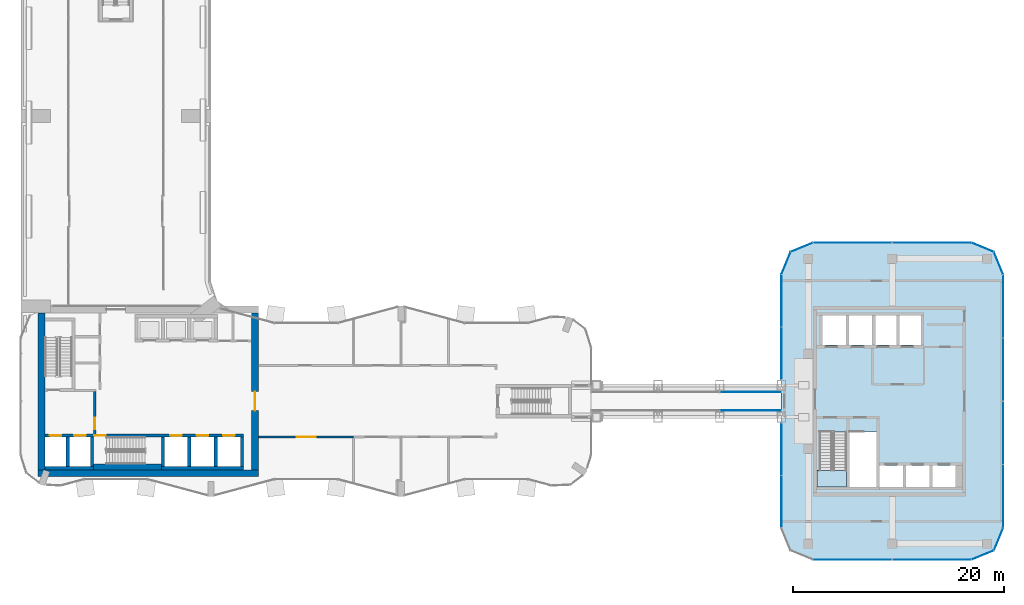
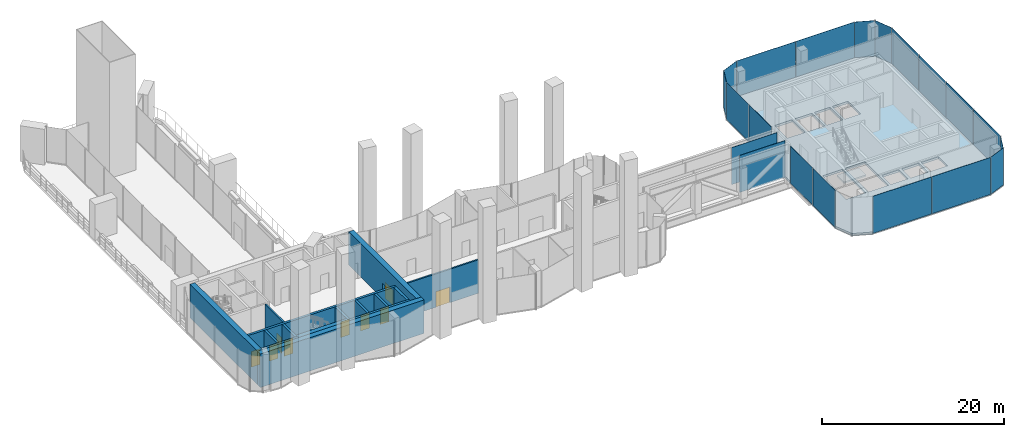
# One storey, part 15 of 23: 20 plates, 15 walls, 9 doors, 2 slabs, 9 openings, 14 elements without a shape of their own.
"""IFC4 building model written with IfcOpenShell, lengths in metres."""

from ifc_helpers import new_model, si_unit, direction, frame, frame_2d, origin, origin_2d, place, context, subcontext, project, spatial, polyline, rectangle, outline, extrude, material, layer, layer_set, type_object, element, fill, aggregate, save


model = new_model("IFC4")

# Units and contexts
model_context = context("Model", 3, precision=1e-05, world=origin(), true_north=direction((0.0, 1.0)))
body_context = subcontext(model_context, "Body", "Model", "MODEL_VIEW")
ifc_project = project(units=[si_unit("LENGTHUNIT", "METRE"), si_unit("AREAUNIT", "SQUARE_METRE"), si_unit("VOLUMEUNIT", "CUBIC_METRE"), si_unit("PLANEANGLEUNIT", "RADIAN"), si_unit("MASSUNIT", "GRAM", prefix="KILO")], contexts=[model_context])

# Site, building, storey
site_placement = place(None, origin())
site = spatial("IfcSite", under=ifc_project, at=site_placement, CompositionType="ELEMENT")
building_placement = place(site_placement, origin())
building = spatial("IfcBuilding", under=site, at=building_placement, Name="Plateau Cross Towers", CompositionType="ELEMENT")
storey_placement = place(building_placement, frame((0.0, 0.0, 123.800048828125)))
storey = spatial("IfcBuildingStorey", under=building, at=storey_placement, Name="L32", CompositionType="ELEMENT", Elevation=123.800048828125)

# Curtain wall, plates
ifc_material_1 = material(Name="Dark low-iron glass", Category="glass")
ifc_layer_1 = layer(ifc_material_1, 0.239990234375)
ifc_layer_set_1 = layer_set([ifc_layer_1], Name="Dark low-iron glass")
curtain_wall_type_1 = type_object("IfcCurtainWallType", Name="Curtain wall office unitised CW-F", PredefinedType="NOTDEFINED", material=ifc_layer_set_1)
curtain_wall_1_placement = place(storey_placement, origin())
curtain_wall_1 = element("IfcCurtainWall", 1, at=curtain_wall_1_placement, inside=storey, type_object=curtain_wall_type_1, Name="ENV/B/L32/B750_-60", PredefinedType="NOTDEFINED")
ifc_layer_2 = layer(ifc_material_1, 0.028076171875)
ifc_layer_set_2 = layer_set([ifc_layer_2], Name="Dark low-iron glass")
plate_type_1 = type_object("IfcPlateType", Name="Glass panel 28 office unitised", PredefinedType="CURTAIN_PANEL", material=ifc_layer_set_2)
plate_1_placement = place(storey_placement, frame((78.75, -6.0, -0.179931640625), z_axis=(0.0, 0.0, 1.0), x_axis=(1.0, 0.0, 0.0)))
plate_1 = element("IfcPlate", 2, at=plate_1_placement, type_object=plate_type_1, Name="CW-F panel 1", PredefinedType="CURTAIN_PANEL", context=body_context, shape_type="SweptSolid", body=[
    extrude(rectangle(XDim=7.43994140625, YDim=0.028076171875, at=origin_2d()), origin(), (0.0, 0.0, 1.0), 4.97998046875),
])
plate_2_placement = place(storey_placement, frame((86.25, -6.0, -0.179931640625), z_axis=(0.0, 0.0, 1.0), x_axis=(1.0, 0.0, 0.0)))
plate_2 = element("IfcPlate", 3, at=plate_2_placement, type_object=plate_type_1, Name="CW-F panel 2", PredefinedType="CURTAIN_PANEL", context=body_context, shape_type="SweptSolid", body=[
    extrude(rectangle(XDim=7.43994140625, YDim=0.028076171875, at=origin_2d()), origin(), (0.0, 0.0, 1.0), 4.97998046875),
])
aggregate(curtain_wall_1, [plate_1, plate_2])

# Curtain wall, plate
curtain_wall_2_placement = place(storey_placement, origin())
curtain_wall_2 = element("IfcCurtainWall", 4, at=curtain_wall_2_placement, inside=storey, type_object=curtain_wall_type_1, Name="ENV/B/L32/B900_-60", PredefinedType="NOTDEFINED")
plate_3_placement = place(storey_placement, frame((91.060546875, -5.560546875, -0.179931640625), z_axis=(0.0, 0.0, 1.0), x_axis=(0.923879457699, 0.382683612978, 0.0)))
plate_3 = element("IfcPlate", 5, at=plate_3_placement, type_object=plate_type_1, Name="CW-F panel 1", PredefinedType="CURTAIN_PANEL", context=body_context, shape_type="SweptSolid", body=[
    extrude(rectangle(XDim=2.236083984375, YDim=0.028076171875, at=origin_2d()), origin(), (0.0, 0.0, 1.0), 4.97998046875),
])
aggregate(curtain_wall_2, [plate_3])

curtain_wall_3_placement = place(storey_placement, origin())
curtain_wall_3 = element("IfcCurtainWall", 6, at=curtain_wall_3_placement, inside=storey, type_object=curtain_wall_type_1, Name="ENV/B/L32/B921_-51", PredefinedType="NOTDEFINED")
plate_4_placement = place(storey_placement, frame((92.560546875, -4.060546875, -0.179931640625), z_axis=(0.0, 0.0, 1.0), x_axis=(0.382683612978, 0.923879457699, 0.0)))
plate_4 = element("IfcPlate", 7, at=plate_4_placement, type_object=plate_type_1, Name="CW-F panel 1", PredefinedType="CURTAIN_PANEL", context=body_context, shape_type="SweptSolid", body=[
    extrude(rectangle(XDim=2.236083984375, YDim=0.028076171875, at=origin_2d()), origin(), (0.0, 0.0, 1.0), 4.97998046875),
])
aggregate(curtain_wall_3, [plate_4])

# Curtain wall, plates
curtain_wall_4_placement = place(storey_placement, origin())
curtain_wall_4 = element("IfcCurtainWall", 8, at=curtain_wall_4_placement, inside=storey, type_object=curtain_wall_type_1, Name="ENV/B/L32/B930_-30", PredefinedType="NOTDEFINED")
plate_5_placement = place(storey_placement, frame((93.0, 0.0, -0.179931640625), z_axis=(0.0, 0.0, 1.0), x_axis=(0.0, 1.0, 0.0)))
plate_5 = element("IfcPlate", 9, at=plate_5_placement, type_object=plate_type_1, Name="CW-F panel 1", PredefinedType="CURTAIN_PANEL", context=body_context, shape_type="SweptSolid", body=[
    extrude(rectangle(XDim=5.93994140625, YDim=0.028076171875, at=origin_2d()), origin(), (0.0, 0.0, 1.0), 4.97998046875),
])
plate_6_placement = place(storey_placement, frame((93.0, 6.0, -0.179931640625), z_axis=(0.0, 0.0, 1.0), x_axis=(0.0, 1.0, 0.0)))
plate_6 = element("IfcPlate", 10, at=plate_6_placement, type_object=plate_type_1, Name="CW-F panel 2", PredefinedType="CURTAIN_PANEL", context=body_context, shape_type="SweptSolid", body=[
    extrude(rectangle(XDim=5.93994140625, YDim=0.028076171875, at=origin_2d()), origin(), (0.0, 0.0, 1.0), 4.97998046875),
])
plate_7_placement = place(storey_placement, frame((93.0, 12.0, -0.179931640625), z_axis=(0.0, 0.0, 1.0), x_axis=(0.0, 1.0, 0.0)))
plate_7 = element("IfcPlate", 11, at=plate_7_placement, type_object=plate_type_1, Name="CW-F panel 3", PredefinedType="CURTAIN_PANEL", context=body_context, shape_type="SweptSolid", body=[
    extrude(rectangle(XDim=5.93994140625, YDim=0.028076171875, at=origin_2d()), origin(), (0.0, 0.0, 1.0), 4.97998046875),
])
plate_8_placement = place(storey_placement, frame((93.0, 18.0, -0.179931640625), z_axis=(0.0, 0.0, 1.0), x_axis=(0.0, 1.0, 0.0)))
plate_8 = element("IfcPlate", 12, at=plate_8_placement, type_object=plate_type_1, Name="CW-F panel 4", PredefinedType="CURTAIN_PANEL", context=body_context, shape_type="SweptSolid", body=[
    extrude(rectangle(XDim=5.93994140625, YDim=0.028076171875, at=origin_2d()), origin(), (0.0, 0.0, 1.0), 4.97998046875),
])
aggregate(curtain_wall_4, [plate_5, plate_6, plate_7, plate_8])

# Curtain wall, plate
curtain_wall_5_placement = place(storey_placement, origin())
curtain_wall_5 = element("IfcCurtainWall", 13, at=curtain_wall_5_placement, inside=storey, type_object=curtain_wall_type_1, Name="ENV/B/L32/B930_210", PredefinedType="NOTDEFINED")
plate_9_placement = place(storey_placement, frame((92.560546875, 22.060546875, -0.179931640625), z_axis=(0.0, 0.0, 1.0), x_axis=(-0.382683612978, 0.923879457699, 0.0)))
plate_9 = element("IfcPlate", 14, at=plate_9_placement, type_object=plate_type_1, Name="CW-F panel 1", PredefinedType="CURTAIN_PANEL", context=body_context, shape_type="SweptSolid", body=[
    extrude(rectangle(XDim=2.236083984375, YDim=0.028076171875, at=origin_2d()), origin(), (0.0, 0.0, 1.0), 4.97998046875),
])
aggregate(curtain_wall_5, [plate_9])

curtain_wall_6_placement = place(storey_placement, origin())
curtain_wall_6 = element("IfcCurtainWall", 15, at=curtain_wall_6_placement, inside=storey, type_object=curtain_wall_type_1, Name="ENV/B/L32/B921_231", PredefinedType="NOTDEFINED")
plate_10_placement = place(storey_placement, frame((91.060546875, 23.560546875, -0.179931640625), z_axis=(0.0, 0.0, 1.0), x_axis=(-0.923879457699, 0.382683612978, 0.0)))
plate_10 = element("IfcPlate", 16, at=plate_10_placement, type_object=plate_type_1, Name="CW-F panel 1", PredefinedType="CURTAIN_PANEL", context=body_context, shape_type="SweptSolid", body=[
    extrude(rectangle(XDim=2.236083984375, YDim=0.028076171875, at=origin_2d()), origin(), (0.0, 0.0, 1.0), 4.97998046875),
])
aggregate(curtain_wall_6, [plate_10])

# Curtain wall, plates
curtain_wall_7_placement = place(storey_placement, origin())
curtain_wall_7 = element("IfcCurtainWall", 17, at=curtain_wall_7_placement, inside=storey, type_object=curtain_wall_type_1, Name="ENV/B/L32/B900_240", PredefinedType="NOTDEFINED")
plate_11_placement = place(storey_placement, frame((86.25, 24.0, -0.179931640625), z_axis=(0.0, 0.0, 1.0), x_axis=(-1.0, 0.0, 0.0)))
plate_11 = element("IfcPlate", 18, at=plate_11_placement, type_object=plate_type_1, Name="CW-F panel 1", PredefinedType="CURTAIN_PANEL", context=body_context, shape_type="SweptSolid", body=[
    extrude(rectangle(XDim=7.43994140625, YDim=0.028076171875, at=origin_2d()), origin(), (0.0, 0.0, 1.0), 4.97998046875),
])
plate_12_placement = place(storey_placement, frame((78.75, 24.0, -0.179931640625), z_axis=(0.0, 0.0, 1.0), x_axis=(-1.0, 0.0, 0.0)))
plate_12 = element("IfcPlate", 19, at=plate_12_placement, type_object=plate_type_1, Name="CW-F panel 2", PredefinedType="CURTAIN_PANEL", context=body_context, shape_type="SweptSolid", body=[
    extrude(rectangle(XDim=7.43994140625, YDim=0.028076171875, at=origin_2d()), origin(), (0.0, 0.0, 1.0), 4.97998046875),
])
aggregate(curtain_wall_7, [plate_11, plate_12])

# Curtain wall, plate
curtain_wall_8_placement = place(storey_placement, origin())
curtain_wall_8 = element("IfcCurtainWall", 20, at=curtain_wall_8_placement, inside=storey, type_object=curtain_wall_type_1, Name="ENV/B/L32/B750_240", PredefinedType="NOTDEFINED")
plate_13_placement = place(storey_placement, frame((73.939453125, 23.560546875, -0.179931640625), z_axis=(0.0, 0.0, 1.0), x_axis=(-0.923879457699, -0.382683612978, 0.0)))
plate_13 = element("IfcPlate", 21, at=plate_13_placement, type_object=plate_type_1, Name="CW-F panel 1", PredefinedType="CURTAIN_PANEL", context=body_context, shape_type="SweptSolid", body=[
    extrude(rectangle(XDim=2.236083984375, YDim=0.028076171875, at=origin_2d()), origin(), (0.0, 0.0, 1.0), 4.97998046875),
])
aggregate(curtain_wall_8, [plate_13])

curtain_wall_9_placement = place(storey_placement, origin())
curtain_wall_9 = element("IfcCurtainWall", 22, at=curtain_wall_9_placement, inside=storey, type_object=curtain_wall_type_1, Name="ENV/B/L32/B729_231", PredefinedType="NOTDEFINED")
plate_14_placement = place(storey_placement, frame((72.439453125, 22.060546875, -0.179931640625), z_axis=(0.0, 0.0, 1.0), x_axis=(-0.382683612978, -0.923879457699, 0.0)))
plate_14 = element("IfcPlate", 23, at=plate_14_placement, type_object=plate_type_1, Name="CW-F panel 1", PredefinedType="CURTAIN_PANEL", context=body_context, shape_type="SweptSolid", body=[
    extrude(rectangle(XDim=2.236083984375, YDim=0.028076171875, at=origin_2d()), origin(), (0.0, 0.0, 1.0), 4.97998046875),
])
aggregate(curtain_wall_9, [plate_14])

# Curtain wall, plates
curtain_wall_10_placement = place(storey_placement, origin())
curtain_wall_10 = element("IfcCurtainWall", 24, at=curtain_wall_10_placement, inside=storey, type_object=curtain_wall_type_1, Name="ENV/B/L32/B720_210", PredefinedType="NOTDEFINED")
plate_15_placement = place(storey_placement, frame((72.0, 18.5087890625, -0.179931640625), z_axis=(0.0, 0.0, 1.0), x_axis=(0.0, -1.0, 0.0)))
plate_15 = element("IfcPlate", 25, at=plate_15_placement, type_object=plate_type_1, Name="CW-F panel 1", PredefinedType="CURTAIN_PANEL", context=body_context, shape_type="SweptSolid", body=[
    extrude(rectangle(XDim=4.922607421875, YDim=0.028076171875, at=origin_2d()), origin(), (0.0, 0.0, 1.0), 4.97998046875),
])
plate_16_placement = place(storey_placement, frame((72.0, 13.5263671875, -0.179931640625), z_axis=(0.0, 0.0, 1.0), x_axis=(0.0, -1.0, 0.0)))
plate_16 = element("IfcPlate", 26, at=plate_16_placement, type_object=plate_type_1, Name="CW-F panel 2", PredefinedType="CURTAIN_PANEL", context=body_context, shape_type="SweptSolid", body=[
    extrude(rectangle(XDim=4.922607421875, YDim=0.028076171875, at=origin_2d()), origin(), (0.0, 0.0, 1.0), 4.97998046875),
])
aggregate(curtain_wall_10, [plate_15, plate_16])

curtain_wall_11_placement = place(storey_placement, origin())
curtain_wall_11 = element("IfcCurtainWall", 27, at=curtain_wall_11_placement, inside=storey, type_object=curtain_wall_type_1, Name="ENV/B/L32/B720_70", PredefinedType="NOTDEFINED")
plate_17_placement = place(storey_placement, frame((72.0, 4.4736328125, -0.179931640625), z_axis=(0.0, 0.0, 1.0), x_axis=(0.0, -1.0, 0.0)))
plate_17 = element("IfcPlate", 28, at=plate_17_placement, type_object=plate_type_1, Name="CW-F panel 1", PredefinedType="CURTAIN_PANEL", context=body_context, shape_type="SweptSolid", body=[
    extrude(rectangle(XDim=4.922607421875, YDim=0.028076171875, at=origin_2d()), origin(), (0.0, 0.0, 1.0), 4.97998046875),
])
plate_18_placement = place(storey_placement, frame((72.0, -0.5087890625, -0.179931640625), z_axis=(0.0, 0.0, 1.0), x_axis=(0.0, -1.0, 0.0)))
plate_18 = element("IfcPlate", 29, at=plate_18_placement, type_object=plate_type_1, Name="CW-F panel 2", PredefinedType="CURTAIN_PANEL", context=body_context, shape_type="SweptSolid", body=[
    extrude(rectangle(XDim=4.922607421875, YDim=0.028076171875, at=origin_2d()), origin(), (0.0, 0.0, 1.0), 4.97998046875),
])
aggregate(curtain_wall_11, [plate_17, plate_18])

# Curtain wall, plate
ifc_material_2 = material(Name="Dark low-iron laminated glass", Category="glass")
ifc_layer_3 = layer(ifc_material_2, 0.25)
ifc_layer_set_3 = layer_set([ifc_layer_3], Name="Dark low-iron laminated glass")
curtain_wall_type_2 = type_object("IfcCurtainWallType", Name="Curtain wall bridge CW-E", PredefinedType="NOTDEFINED", material=ifc_layer_set_3)
curtain_wall_12_placement = place(storey_placement, origin())
curtain_wall_12 = element("IfcCurtainWall", 30, at=curtain_wall_12_placement, inside=storey, type_object=curtain_wall_type_2, Name="ENV/BR/L32/BR-S-south-2", PredefinedType="NOTDEFINED")
ifc_layer_4 = layer(ifc_material_2, 0.030029296875)
ifc_layer_set_4 = layer_set([ifc_layer_4], Name="Dark low-iron laminated glass")
plate_type_2 = type_object("IfcPlateType", Name="Glass panel 30 bridge", PredefinedType="CURTAIN_PANEL", material=ifc_layer_set_4)
plate_19_placement = place(storey_placement, frame((69.083251953125, 8.1201171875, -0.179931640625), z_axis=(0.0, 0.0, 1.0), x_axis=(1.0, 0.0, 0.0)))
plate_19 = element("IfcPlate", 31, at=plate_19_placement, type_object=plate_type_2, Name="CW-E panel 2", PredefinedType="CURTAIN_PANEL", context=body_context, shape_type="SweptSolid", body=[
    extrude(rectangle(XDim=5.7734375, YDim=0.030029296875, at=origin_2d()), origin(), (0.0, 0.0, 1.0), 4.97998046875),
])
aggregate(curtain_wall_12, [plate_19])

curtain_wall_13_placement = place(storey_placement, origin())
curtain_wall_13 = element("IfcCurtainWall", 32, at=curtain_wall_13_placement, inside=storey, type_object=curtain_wall_type_2, Name="ENV/BR/L32/BR-S-north-2", PredefinedType="NOTDEFINED")
plate_20_placement = place(storey_placement, frame((69.083251953125, 9.8798828125, -0.179931640625), z_axis=(0.0, 0.0, 1.0), x_axis=(1.0, 0.0, 0.0)))
plate_20 = element("IfcPlate", 33, at=plate_20_placement, type_object=plate_type_2, Name="CW-E panel 2", PredefinedType="CURTAIN_PANEL", context=body_context, shape_type="SweptSolid", body=[
    extrude(rectangle(XDim=5.7734375, YDim=0.030029296875, at=origin_2d()), origin(), (0.0, 0.0, 1.0), 4.97998046875),
])
aggregate(curtain_wall_13, [plate_20])

# Slab
ifc_material_3 = material(Name="Concrete C40/50", Category="concrete")
ifc_layer_5 = layer(ifc_material_3, 0.300048828125)
ifc_layer_set_5 = layer_set([ifc_layer_5], Name="Concrete C40/50")
slab_type_1 = type_object("IfcSlabType", Name="Post-tensioned flat plate slab 300", PredefinedType="FLOOR", material=ifc_layer_set_5)
slab_1_placement = place(storey_placement, frame((0.0, 0.0, -0.300048828125)))
element("IfcSlab", 34, at=slab_1_placement, inside=storey, type_object=slab_type_1, Name="SL-B-L32", PredefinedType="FLOOR", context=body_context, shape_type="SweptSolid", body=[
    extrude(outline(polyline([(72.878662109375, -5.121337890625), (72.0, -3.0), (72.0, 21.0), (72.878662109375, 23.121337890625), (75.0, 24.0), (90.0, 24.0), (92.121337890625, 23.121337890625), (93.0, 21.0), (93.0, -3.0), (92.121337890625, -5.121337890625), (90.0, -6.0), (75.0, -6.0), (72.878662109375, -5.121337890625)]), holes=[polyline([(75.60009765625, 0.89990234375), (78.14990234375, 0.89990234375), (78.14990234375, 6.10009765625), (75.60009765625, 6.10009765625), (75.60009765625, 0.89990234375)]), polyline([(83.5, 0.89990234375), (83.5, 2.89990234375), (81.300048828125, 2.89990234375), (81.300048828125, 0.89990234375), (83.5, 0.89990234375)]), polyline([(86.0, 0.89990234375), (86.0, 2.89990234375), (83.800048828125, 2.89990234375), (83.800048828125, 0.89990234375), (86.0, 0.89990234375)]), polyline([(88.5, 0.89990234375), (88.5, 2.89990234375), (86.300048828125, 2.89990234375), (86.300048828125, 0.89990234375), (88.5, 0.89990234375)]), polyline([(78.449951171875, 0.89990234375), (81.0, 0.89990234375), (81.0, 6.10009765625), (78.449951171875, 6.10009765625), (78.449951171875, 0.89990234375)]), polyline([(78.10009765625, 14.300048828125), (78.10009765625, 17.10009765625), (75.89990234375, 17.10009765625), (75.89990234375, 14.300048828125), (78.10009765625, 14.300048828125)]), polyline([(80.60009765625, 14.300048828125), (80.60009765625, 17.10009765625), (78.39990234375, 17.10009765625), (78.39990234375, 14.300048828125), (80.60009765625, 14.300048828125)]), polyline([(82.89990234375, 14.300048828125), (82.89990234375, 17.10009765625), (80.89990234375, 17.10009765625), (80.89990234375, 14.300048828125), (82.89990234375, 14.300048828125)]), polyline([(85.199951171875, 14.300048828125), (85.199951171875, 17.10009765625), (83.199951171875, 17.10009765625), (83.199951171875, 14.300048828125), (85.199951171875, 14.300048828125)])]), origin(), (0.0, 0.0, 1.0), 0.300048828125),
])

# Stair, slab
stair_type = type_object("IfcStairType", Name="ST-TWR", PredefinedType="HALF_TURN_STAIR", material=ifc_material_3)
stair_placement = place(storey_placement, origin())
stair = element("IfcStair", 35, at=stair_placement, inside=storey, type_object=stair_type, Name="L32 Protected Exit Stair SB-1", PredefinedType="HALF_TURN_STAIR")
ifc_layer_6 = layer(ifc_material_3, 0.199951171875)
ifc_layer_set_6 = layer_set([ifc_layer_6], Name="Concrete C40/50")
slab_type_2 = type_object("IfcSlabType", Name="SL-LANDING", PredefinedType="LANDING", material=ifc_layer_set_6)
slab_2_placement = place(storey_placement, frame((0.0, 0.0, 2.199951171875)))
slab_2 = element("IfcSlab", 36, at=slab_2_placement, type_object=slab_type_2, Name="SB-1 landing 1", PredefinedType="LANDING", context=body_context, shape_type="SweptSolid", body=[
    extrude(outline(polyline([(75.35009765625, 2.4599609375), (75.35009765625, 0.89990234375), (78.14990234375, 0.89990234375), (78.14990234375, 2.4599609375), (75.35009765625, 2.4599609375)])), origin(), (0.0, 0.0, 1.0), 0.199951171875),
])
aggregate(stair, [slab_2])

# Wall, opening, door
ifc_material_4 = material(Name="Concrete block, plastered both sides", Category="concrete")
ifc_layer_7 = layer(ifc_material_4, 0.199951171875)
ifc_layer_set_7 = layer_set([ifc_layer_7], Name="Concrete block, plastered both sides")
wall_type_1 = type_object("IfcWallType", Name="Core partition 200", PredefinedType="PARTITIONING", material=ifc_layer_set_7)
wall_1_placement = place(storey_placement, frame((7.0, 5.89990234375, 0.0), z_axis=(0.0, 0.0, 1.0), x_axis=(0.0, 1.0, 0.0)))
wall_1 = element("IfcWall", 37, at=wall_1_placement, inside=storey, type_object=wall_type_1, Name="Core partition", PredefinedType="PARTITIONING", context=body_context, shape_type="SweptSolid", body=[
    extrude(rectangle(XDim=4.0, YDim=0.199951171875, at=frame_2d((2.0, 0.0))), origin(), (0.0, 0.0, 1.0), 4.5),
])
opening_1_placement = place(wall_1_placement, frame((0.449951171875, 0.0, 0.0)))
opening_1 = element("IfcOpeningElement", 38, at=opening_1_placement, cuts=wall_1, Name="Opening FFD", PredefinedType="OPENING", context=body_context, shape_type="SweptSolid", body=[
    extrude(rectangle(XDim=1.10009765625, YDim=2.10009765625, at=frame_2d((0.550048828125, 1.050048828125))), frame((0.0, 0.10986328125, 0.0), z_axis=(0.0, -1.0, 0.0), x_axis=(1.0, 0.0, 0.0)), (0.0, 0.0, 1.0), 0.219970703125),
])
ifc_material_5 = material(Name="Steel, fire-resisting leaf", Category="steel")
door_type_1 = type_object("IfcDoorType", Name="Firefighting lobby door 1100", OperationType="NOTDEFINED", PredefinedType="DOOR", material=ifc_material_5)
door_1_placement = place(opening_1_placement, origin())
door_1 = element("IfcDoor", 39, at=door_1_placement, inside=storey, type_object=door_type_1, Name="Firefighting lobby door FFD", OperationType="SINGLE_SWING_LEFT", OverallHeight=2.10009765625, OverallWidth=1.10009765625, PredefinedType="DOOR", context=body_context, shape_type="SweptSolid", body=[
    extrude(rectangle(XDim=1.10009765625, YDim=2.10009765625, at=frame_2d((0.550048828125, 1.050048828125))), frame((0.0, 0.02490234375, 0.0), z_axis=(0.0, -1.0, 0.0), x_axis=(1.0, 0.0, 0.0)), (0.0, 0.0, 1.0), 0.050048828125),
])
fill(opening_1, door_1)

# Walls
ifc_material_6 = material(Name="Concrete C60/75", Category="concrete")
ifc_layer_8 = layer(ifc_material_6, 0.300048828125)
ifc_layer_set_8 = layer_set([ifc_layer_8], Name="Concrete C60/75")
wall_type_2 = type_object("IfcWallType", Name="Core shaft wall 300", PredefinedType="SHEAR", material=ifc_layer_set_8)
wall_2_placement = place(storey_placement, frame((2.300048828125, 2.64990234375, 0.0), z_axis=(0.0, 0.0, 1.0), x_axis=(1.0, 0.0, 0.0)))
element("IfcWall", 40, at=wall_2_placement, inside=storey, type_object=wall_type_2, Name="A-sb-back1@L32", PredefinedType="SHEAR", context=body_context, shape_type="SweptSolid", body=[
    extrude(rectangle(XDim=4.599853515625, YDim=0.300048828125, at=frame_2d((2.2998046875, 0.0))), origin(), (0.0, 0.0, 1.0), 4.5),
])
wall_3_placement = place(storey_placement, frame((13.300048828125, 2.64990234375, 0.0), z_axis=(0.0, 0.0, 1.0), x_axis=(1.0, 0.0, 0.0)))
element("IfcWall", 41, at=wall_3_placement, inside=storey, type_object=wall_type_2, Name="A-sb-back3@L32", PredefinedType="SHEAR", context=body_context, shape_type="SweptSolid", body=[
    extrude(rectangle(XDim=7.800048828125, YDim=0.300048828125, at=frame_2d((3.89990234375, 0.0))), origin(), (0.0, 0.0, 1.0), 4.5),
])
for number, where, z_axis, x_axis, name in (
    (42, (4.449951171875, 2.800048828125, 0.0), (0.0, 0.0, 1.0), (0.0, 1.0, 0.0), "A-sb-v1@L32"),
    (43, (6.75, 2.800048828125, 0.0), (0.0, 0.0, 1.0), (0.0, 1.0, 0.0), "A-sb-v2@L32"),
    (44, (13.449951171875, 2.800048828125, 0.0), (0.0, 0.0, 1.0), (0.0, 1.0, 0.0), "A-sb-v3@L32"),
    (45, (15.949951171875, 2.800048828125, 0.0), (0.0, 0.0, 1.0), (0.0, 1.0, 0.0), "A-sb-v4@L32"),
    (46, (18.449951171875, 2.800048828125, 0.0), (0.0, 0.0, 1.0), (0.0, 1.0, 0.0), "A-sb-v5@L32"),
    (47, (20.949951171875, 2.800048828125, 0.0), (0.0, 0.0, 1.0), (0.0, 1.0, 0.0), "A-sb-v6@L32"),
):
    element("IfcWall", number, at=place(storey_placement, frame(where, z_axis=z_axis, x_axis=x_axis)), inside=storey, type_object=wall_type_2, Name=name, PredefinedType="SHEAR", context=body_context, shape_type="SweptSolid", body=[
        extrude(rectangle(XDim=2.800048828125, YDim=0.300048828125, at=frame_2d((1.39990234375, 0.0))), origin(), (0.0, 0.0, 1.0), 4.5),
    ])

# Wall, openings, doors
wall_4_placement = place(storey_placement, frame((2.300048828125, 5.75, 0.0), z_axis=(0.0, 0.0, 1.0), x_axis=(1.0, 0.0, 0.0)))
wall_4 = element("IfcWall", 48, at=wall_4_placement, inside=storey, type_object=wall_type_2, Name="A-sb-front@L32", PredefinedType="SHEAR", context=body_context, shape_type="SweptSolid", body=[
    extrude(rectangle(XDim=18.800048828125, YDim=0.300048828125, at=frame_2d((9.39990234375, 0.0))), origin(), (0.0, 0.0, 1.0), 4.5),
])
opening_2_placement = place(wall_4_placement, frame((4.64990234375, 0.0, 0.0)))
opening_2 = element("IfcOpeningElement", 49, at=opening_2_placement, cuts=wall_4, Name="Opening SD", PredefinedType="OPENING", context=body_context, shape_type="SweptSolid", body=[
    extrude(rectangle(XDim=1.10009765625, YDim=2.10009765625, at=frame_2d((0.550048828125, 1.050048828125))), frame((0.0, 0.159912109375, 0.0), z_axis=(0.0, -1.0, 0.0), x_axis=(1.0, 0.0, 0.0)), (0.0, 0.0, 1.0), 0.320068359375),
])
opening_3_placement = place(wall_4_placement, frame((0.449951171875, 0.0, 0.0)))
opening_3 = element("IfcOpeningElement", 50, at=opening_3_placement, cuts=wall_4, Name="Opening LD", PredefinedType="OPENING", context=body_context, shape_type="SweptSolid", body=[
    extrude(rectangle(XDim=1.10009765625, YDim=2.10009765625, at=frame_2d((0.550048828125, 1.050048828125))), frame((0.0, 0.159912109375, 0.0), z_axis=(0.0, -1.0, 0.0), x_axis=(1.0, 0.0, 0.0)), (0.0, 0.0, 1.0), 0.320068359375),
])
opening_4_placement = place(wall_4_placement, frame((2.75, 0.0, 0.0)))
opening_4 = element("IfcOpeningElement", 51, at=opening_4_placement, cuts=wall_4, Name="Opening LD", PredefinedType="OPENING", context=body_context, shape_type="SweptSolid", body=[
    extrude(rectangle(XDim=1.10009765625, YDim=2.10009765625, at=frame_2d((0.550048828125, 1.050048828125))), frame((0.0, 0.159912109375, 0.0), z_axis=(0.0, -1.0, 0.0), x_axis=(1.0, 0.0, 0.0)), (0.0, 0.0, 1.0), 0.320068359375),
])
opening_5_placement = place(wall_4_placement, frame((11.85009765625, 0.0, 0.0)))
opening_5 = element("IfcOpeningElement", 52, at=opening_5_placement, cuts=wall_4, Name="Opening LD", PredefinedType="OPENING", context=body_context, shape_type="SweptSolid", body=[
    extrude(rectangle(XDim=1.10009765625, YDim=2.10009765625, at=frame_2d((0.550048828125, 1.050048828125))), frame((0.0, 0.159912109375, 0.0), z_axis=(0.0, -1.0, 0.0), x_axis=(1.0, 0.0, 0.0)), (0.0, 0.0, 1.0), 0.320068359375),
])
opening_6_placement = place(wall_4_placement, frame((14.35009765625, 0.0, 0.0)))
opening_6 = element("IfcOpeningElement", 53, at=opening_6_placement, cuts=wall_4, Name="Opening LD", PredefinedType="OPENING", context=body_context, shape_type="SweptSolid", body=[
    extrude(rectangle(XDim=1.10009765625, YDim=2.10009765625, at=frame_2d((0.550048828125, 1.050048828125))), frame((0.0, 0.159912109375, 0.0), z_axis=(0.0, -1.0, 0.0), x_axis=(1.0, 0.0, 0.0)), (0.0, 0.0, 1.0), 0.320068359375),
])
opening_7_placement = place(wall_4_placement, frame((16.85009765625, 0.0, 0.0)))
opening_7 = element("IfcOpeningElement", 54, at=opening_7_placement, cuts=wall_4, Name="Opening LD", PredefinedType="OPENING", context=body_context, shape_type="SweptSolid", body=[
    extrude(rectangle(XDim=1.10009765625, YDim=2.10009765625, at=frame_2d((0.550048828125, 1.050048828125))), frame((0.0, 0.159912109375, 0.0), z_axis=(0.0, -1.0, 0.0), x_axis=(1.0, 0.0, 0.0)), (0.0, 0.0, 1.0), 0.320068359375),
])
ifc_material_7 = material(Name="Stainless steel, fire-resisting sliding leaves", Category="steel")
door_type_2 = type_object("IfcDoorType", Name="Lift landing door 1100", OperationType="NOTDEFINED", PredefinedType="DOOR", material=ifc_material_7)
door_2_placement = place(opening_3_placement, origin())
door_2 = element("IfcDoor", 55, at=door_2_placement, inside=storey, type_object=door_type_2, Name="Lift landing door LD", OperationType="DOUBLE_DOOR_SLIDING", OverallHeight=2.10009765625, OverallWidth=1.10009765625, PredefinedType="DOOR", context=body_context, shape_type="SweptSolid", body=[
    extrude(rectangle(XDim=1.10009765625, YDim=2.10009765625, at=frame_2d((0.550048828125, 1.050048828125))), frame((0.0, 0.02490234375, 0.0), z_axis=(0.0, -1.0, 0.0), x_axis=(1.0, 0.0, 0.0)), (0.0, 0.0, 1.0), 0.050048828125),
])
fill(opening_3, door_2)
door_3_placement = place(opening_4_placement, origin())
door_3 = element("IfcDoor", 56, at=door_3_placement, inside=storey, type_object=door_type_2, Name="Lift landing door LD", OperationType="DOUBLE_DOOR_SLIDING", OverallHeight=2.10009765625, OverallWidth=1.10009765625, PredefinedType="DOOR", context=body_context, shape_type="SweptSolid", body=[
    extrude(rectangle(XDim=1.10009765625, YDim=2.10009765625, at=frame_2d((0.550048828125, 1.050048828125))), frame((0.0, 0.02490234375, 0.0), z_axis=(0.0, -1.0, 0.0), x_axis=(1.0, 0.0, 0.0)), (0.0, 0.0, 1.0), 0.050048828125),
])
fill(opening_4, door_3)
door_4_placement = place(opening_5_placement, origin())
door_4 = element("IfcDoor", 57, at=door_4_placement, inside=storey, type_object=door_type_2, Name="Lift landing door LD", OperationType="DOUBLE_DOOR_SLIDING", OverallHeight=2.10009765625, OverallWidth=1.10009765625, PredefinedType="DOOR", context=body_context, shape_type="SweptSolid", body=[
    extrude(rectangle(XDim=1.10009765625, YDim=2.10009765625, at=frame_2d((0.550048828125, 1.050048828125))), frame((0.0, 0.02490234375, 0.0), z_axis=(0.0, -1.0, 0.0), x_axis=(1.0, 0.0, 0.0)), (0.0, 0.0, 1.0), 0.050048828125),
])
fill(opening_5, door_4)
door_5_placement = place(opening_6_placement, origin())
door_5 = element("IfcDoor", 58, at=door_5_placement, inside=storey, type_object=door_type_2, Name="Lift landing door LD", OperationType="DOUBLE_DOOR_SLIDING", OverallHeight=2.10009765625, OverallWidth=1.10009765625, PredefinedType="DOOR", context=body_context, shape_type="SweptSolid", body=[
    extrude(rectangle(XDim=1.10009765625, YDim=2.10009765625, at=frame_2d((0.550048828125, 1.050048828125))), frame((0.0, 0.02490234375, 0.0), z_axis=(0.0, -1.0, 0.0), x_axis=(1.0, 0.0, 0.0)), (0.0, 0.0, 1.0), 0.050048828125),
])
fill(opening_6, door_5)
door_6_placement = place(opening_7_placement, origin())
door_6 = element("IfcDoor", 59, at=door_6_placement, inside=storey, type_object=door_type_2, Name="Lift landing door LD", OperationType="DOUBLE_DOOR_SLIDING", OverallHeight=2.10009765625, OverallWidth=1.10009765625, PredefinedType="DOOR", context=body_context, shape_type="SweptSolid", body=[
    extrude(rectangle(XDim=1.10009765625, YDim=2.10009765625, at=frame_2d((0.550048828125, 1.050048828125))), frame((0.0, 0.02490234375, 0.0), z_axis=(0.0, -1.0, 0.0), x_axis=(1.0, 0.0, 0.0)), (0.0, 0.0, 1.0), 0.050048828125),
])
fill(opening_7, door_6)
door_type_3 = type_object("IfcDoorType", Name="Stair door 1100", OperationType="NOTDEFINED", PredefinedType="DOOR", material=ifc_material_5)
door_7_placement = place(opening_2_placement, origin())
door_7 = element("IfcDoor", 60, at=door_7_placement, inside=storey, type_object=door_type_3, Name="Stair door SD", OperationType="SINGLE_SWING_LEFT", OverallHeight=2.10009765625, OverallWidth=1.10009765625, PredefinedType="DOOR", context=body_context, shape_type="SweptSolid", body=[
    extrude(rectangle(XDim=1.10009765625, YDim=2.10009765625, at=frame_2d((0.550048828125, 1.050048828125))), frame((0.0, 0.02490234375, 0.0), z_axis=(0.0, -1.0, 0.0), x_axis=(1.0, 0.0, 0.0)), (0.0, 0.0, 1.0), 0.050048828125),
])
fill(opening_2, door_7)

# Walls
ifc_layer_9 = layer(ifc_material_6, 0.550048828125)
ifc_layer_set_9 = layer_set([ifc_layer_9], Name="Concrete C60/75")
wall_type_3 = type_object("IfcWallType", Name="Core shaft wall 550", PredefinedType="SHEAR", material=ifc_layer_set_9)
wall_5_placement = place(storey_placement, frame((6.89990234375, 2.77490234375, 0.0), z_axis=(0.0, 0.0, 1.0), x_axis=(1.0, 0.0, 0.0)))
element("IfcWall", 61, at=wall_5_placement, inside=storey, type_object=wall_type_3, Name="A-sb-back2@L32", PredefinedType="SHEAR", context=body_context, shape_type="SweptSolid", body=[
    extrude(rectangle(XDim=6.400146484375, YDim=0.550048828125, at=frame_2d((3.2001953125, 0.0))), origin(), (0.0, 0.0, 1.0), 4.5),
])
ifc_layer_10 = layer(ifc_material_6, 0.64990234375)
ifc_layer_set_10 = layer_set([ifc_layer_10], Name="Concrete C60/75")
wall_type_4 = type_object("IfcWallType", Name="Core shell wall 650", PredefinedType="SHEAR", material=ifc_layer_set_10)
wall_6_placement = place(storey_placement, frame((1.64990234375, 2.175048828125, 0.0), z_axis=(0.0, 0.0, 1.0), x_axis=(1.0, 0.0, 0.0)))
element("IfcWall", 62, at=wall_6_placement, inside=storey, type_object=wall_type_4, Name="A-core-S@L32", PredefinedType="SHEAR", context=body_context, shape_type="SweptSolid", body=[
    extrude(rectangle(XDim=20.85009765625, YDim=0.64990234375, at=frame_2d((10.425048828125, 0.0))), origin(), (0.0, 0.0, 1.0), 4.5),
])
wall_7_placement = place(storey_placement, frame((1.97509765625, 2.5, 0.0), z_axis=(0.0, 0.0, 1.0), x_axis=(0.0, 1.0, 0.0)))
element("IfcWall", 63, at=wall_7_placement, inside=storey, type_object=wall_type_4, Name="A-core-W@L32", PredefinedType="SHEAR", context=body_context, shape_type="SweptSolid", body=[
    extrude(rectangle(XDim=14.85009765625, YDim=0.64990234375, at=frame_2d((7.425048828125, 0.0))), origin(), (0.0, 0.0, 1.0), 4.5),
])

# Wall, opening, door
wall_8_placement = place(storey_placement, frame((22.175048828125, 2.5, 0.0), z_axis=(0.0, 0.0, 1.0), x_axis=(0.0, 1.0, 0.0)))
wall_8 = element("IfcWall", 64, at=wall_8_placement, inside=storey, type_object=wall_type_4, Name="A-core-E@L32", PredefinedType="SHEAR", context=body_context, shape_type="SweptSolid", body=[
    extrude(rectangle(XDim=14.85009765625, YDim=0.64990234375, at=frame_2d((7.425048828125, 0.0))), origin(), (0.0, 0.0, 1.0), 4.5),
])
opening_8_placement = place(wall_8_placement, frame((5.60009765625, 0.0, 0.0)))
opening_8 = element("IfcOpeningElement", 65, at=opening_8_placement, cuts=wall_8, Name="Opening CD", PredefinedType="OPENING", context=body_context, shape_type="SweptSolid", body=[
    extrude(rectangle(XDim=1.800048828125, YDim=2.10009765625, at=frame_2d((0.89990234375, 1.050048828125))), frame((0.0, 0.3349609375, 0.0), z_axis=(0.0, -1.0, 0.0), x_axis=(1.0, 0.0, 0.0)), (0.0, 0.0, 1.0), 0.669921875),
])
ifc_material_8 = material(Name="Steel, fire-resisting leaves", Category="steel")
door_type_4 = type_object("IfcDoorType", Name="Corridor door pair 1800", OperationType="NOTDEFINED", PredefinedType="DOOR", material=ifc_material_8)
door_8_placement = place(opening_8_placement, origin())
door_8 = element("IfcDoor", 66, at=door_8_placement, inside=storey, type_object=door_type_4, Name="Corridor door pair CD", OperationType="DOUBLE_DOOR_SINGLE_SWING", OverallHeight=2.10009765625, OverallWidth=1.800048828125, PredefinedType="DOOR", context=body_context, shape_type="SweptSolid", body=[
    extrude(rectangle(XDim=1.800048828125, YDim=2.10009765625, at=frame_2d((0.89990234375, 1.050048828125))), frame((0.0, 0.02490234375, 0.0), z_axis=(0.0, -1.0, 0.0), x_axis=(1.0, 0.0, 0.0)), (0.0, 0.0, 1.0), 0.050048828125),
])
fill(opening_8, door_8)

ifc_material_9 = material(Name="Gypsum board on steel studs", Category="steel")
ifc_layer_11 = layer(ifc_material_9, 0.199951171875)
ifc_layer_set_11 = layer_set([ifc_layer_11], Name="Gypsum board on steel studs")
wall_type_5 = type_object("IfcWallType", Name="Podium partition 200", PredefinedType="PARTITIONING", material=ifc_layer_set_11)
wall_9_placement = place(storey_placement, frame((31.5, 5.625, 0.0), z_axis=(0.0, 0.0, 1.0), x_axis=(-1.0, 0.0, 0.0)))
wall_9 = element("IfcWall", 67, at=wall_9_placement, inside=storey, type_object=wall_type_5, Name="Partition wall", PredefinedType="PARTITIONING", context=body_context, shape_type="SweptSolid", body=[
    extrude(rectangle(XDim=9.0, YDim=0.199951171875, at=frame_2d((4.5, 0.0))), origin(), (0.0, 0.0, 1.0), 4.5),
])
opening_9_placement = place(wall_9_placement, frame((3.60009765625, 0.0, 0.0)))
opening_9 = element("IfcOpeningElement", 68, at=opening_9_placement, cuts=wall_9, Name="Opening 32-06", PredefinedType="OPENING", context=body_context, shape_type="SweptSolid", body=[
    extrude(rectangle(XDim=1.800048828125, YDim=2.10009765625, at=frame_2d((0.89990234375, 1.050048828125))), frame((0.0, 0.10986328125, 0.0), z_axis=(0.0, -1.0, 0.0), x_axis=(1.0, 0.0, 0.0)), (0.0, 0.0, 1.0), 0.219970703125),
])
ifc_material_10 = material(Name="Aluminium frame, toughened glass", Category="aluminium")
door_type_5 = type_object("IfcDoorType", Name="Podium door pair 1800", OperationType="NOTDEFINED", PredefinedType="DOOR", material=ifc_material_10)
door_9_placement = place(opening_9_placement, origin())
door_9 = element("IfcDoor", 69, at=door_9_placement, inside=storey, type_object=door_type_5, Name="Door 32-06", OperationType="DOUBLE_DOOR_SINGLE_SWING", OverallHeight=2.10009765625, OverallWidth=1.800048828125, PredefinedType="DOOR", context=body_context, shape_type="SweptSolid", body=[
    extrude(rectangle(XDim=1.800048828125, YDim=2.10009765625, at=frame_2d((0.89990234375, 1.050048828125))), frame((0.0, 0.02490234375, 0.0), z_axis=(0.0, -1.0, 0.0), x_axis=(1.0, 0.0, 0.0)), (0.0, 0.0, 1.0), 0.050048828125),
])
fill(opening_9, door_9)

save(model, "model.ifc")
